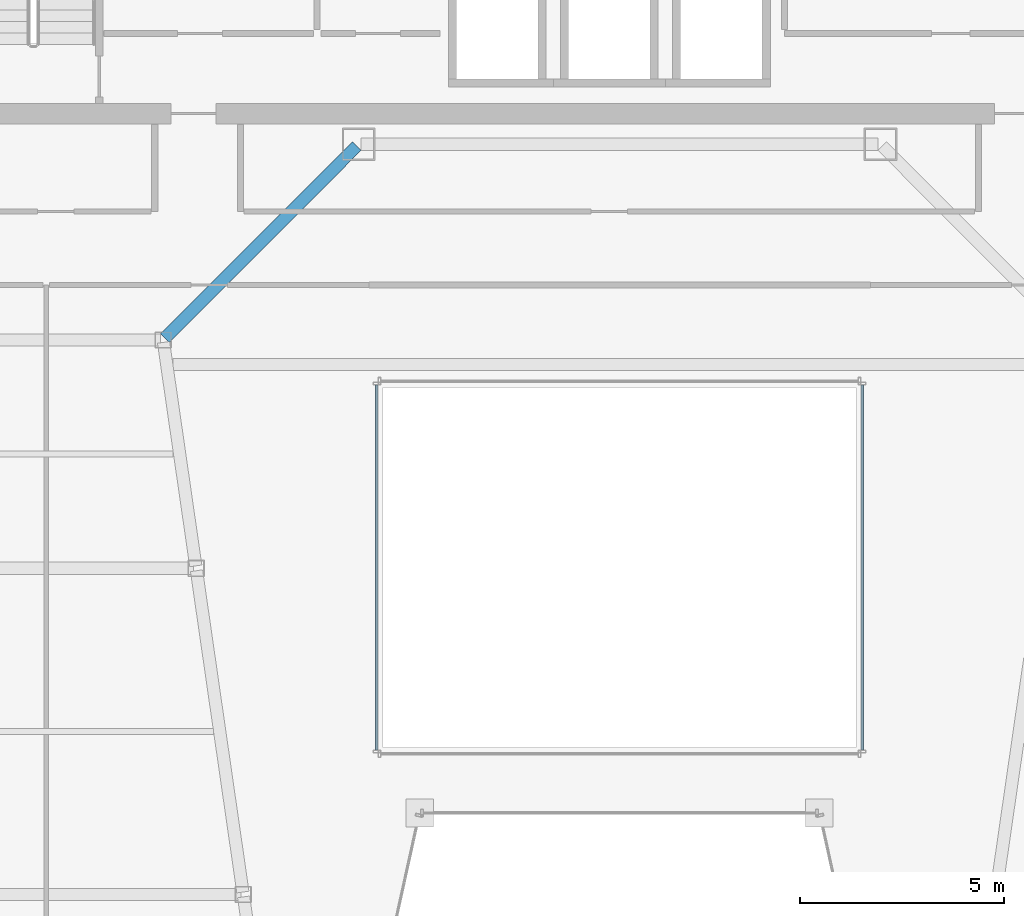
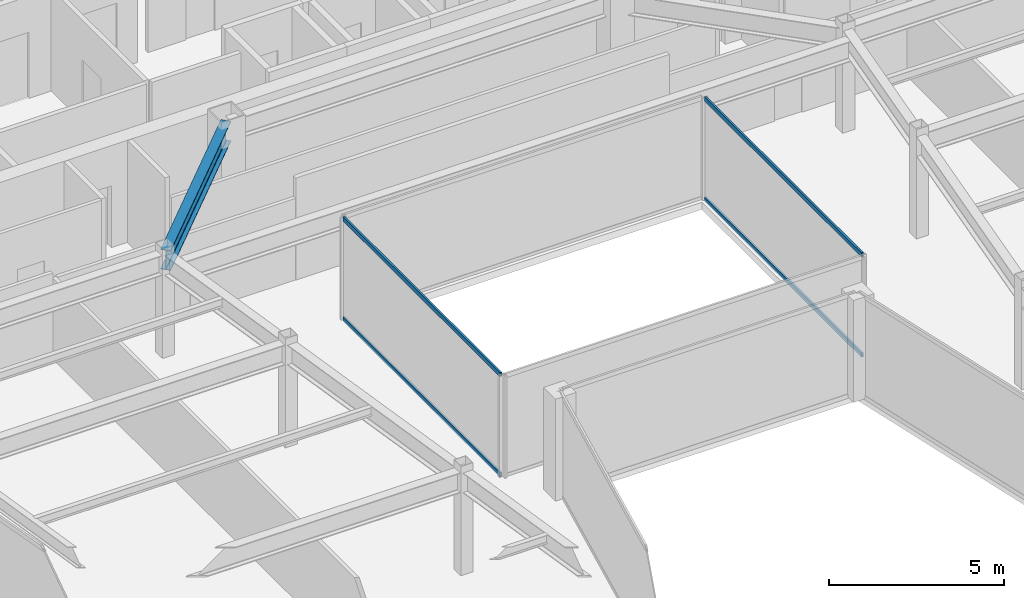
# One storey, part 12 of 35: 4 members, 1 beam, 2 elements without a shape of their own.
"""IFC4 building model written with IfcOpenShell, lengths in metres."""

import ifcopenshell
import ifcopenshell.guid

model = None  # the IFC model being written
_history = None  # IfcOwnerHistory: only IFC2X3 demands one
_inside = {}  # id of a spatial element -> (the spatial element, [elements in it])
_under = {}  # id of a project, library or spatial element -> (it, [spatial elements below it])
_declared = {}  # id of a project -> (the project, [libraries it declares])
_typed = {}  # id of a type object -> (the type object, [elements of that type])
_made_of = {}  # id of a material, layer set ... -> (it, [elements and type objects made of it])


def new_model(schema):
    """Start an empty IFC model of exactly this schema.

    Asked for "IFC4X3", IfcOpenShell would pick the latest addendum, in which some entities
    have other attributes; the version numbers below select the first issue.
    IFC2X3 requires an IfcOwnerHistory on every rooted entity: one is made here for all.
    """
    global model, _history
    if schema == "IFC4X3":
        model = ifcopenshell.file(schema_version=(4, 3, 0, 0))
    else:
        model = ifcopenshell.file(schema=schema)
    _inside.clear()
    _under.clear()
    _declared.clear()
    _typed.clear()
    _made_of.clear()
    _history = None
    if model.schema == "IFC2X3":
        org = make("IfcOrganization", Name="unknown")
        user = make(
            "IfcPersonAndOrganization",
            ThePerson=make("IfcPerson", FamilyName="unknown"),
            TheOrganization=org,
        )
        app = make(
            "IfcApplication",
            ApplicationDeveloper=org,
            Version="unknown",
            ApplicationFullName="unknown",
            ApplicationIdentifier="unknown",
        )
        _history = make(
            "IfcOwnerHistory",
            OwningUser=user,
            OwningApplication=app,
            ChangeAction="ADDED",
            CreationDate=0,
        )
    return model


def make(cls, **values):
    """One entity of the class cls with the attributes given. An attribute that is None is left unset."""
    return model.create_entity(
        cls, **{name: value for name, value in values.items() if value is not None}
    )


def rooted(cls, **values):
    """An entity with a GlobalId (a new one), such as an element, a storey or a relation."""
    return make(cls, GlobalId=ifcopenshell.guid.new(), OwnerHistory=_history, **values)


def si_unit(unit_type, name, prefix=None):
    """IfcSIUnit, for example si_unit("LENGTHUNIT", "METRE", prefix="MILLI")."""
    return make("IfcSIUnit", UnitType=unit_type, Prefix=prefix, Name=name)


def assignment(units):
    """IfcUnitAssignment: the units of a project."""
    return None if units is None else make("IfcUnitAssignment", Units=units)


def point(xyz):
    """IfcCartesianPoint."""
    return None if xyz is None else make("IfcCartesianPoint", Coordinates=xyz)


def direction(xyz):
    """IfcDirection."""
    return None if xyz is None else make("IfcDirection", DirectionRatios=xyz)


def frame(location, z_axis=None, x_axis=None):
    """IfcAxis2Placement3D, a coordinate frame: its origin and axes. An axis left out is left unset."""
    return make(
        "IfcAxis2Placement3D",
        Location=point(location),
        Axis=direction(z_axis),
        RefDirection=direction(x_axis),
    )


def frame_2d(location, x_axis=None):
    """IfcAxis2Placement2D, a coordinate frame in the plane: its origin and x axis."""
    return make(
        "IfcAxis2Placement2D", Location=point(location), RefDirection=direction(x_axis)
    )


def origin():
    """The frame at (0, 0, 0) with its axes left unset."""
    return frame((0.0, 0.0, 0.0))


def origin_2d():
    """The frame at (0, 0) in the plane with its x axis left unset."""
    return frame_2d((0.0, 0.0))


def place(relative_to, where):
    """IfcLocalPlacement: puts the frame where relative to a parent placement (None: the world)."""
    return make(
        "IfcLocalPlacement", PlacementRelTo=relative_to, RelativePlacement=where
    )


def context(
    kind, dimensions, precision=None, world=None, true_north=None, identifier=None
):
    """IfcGeometricRepresentationContext, for example the 3D "Model" context."""
    return make(
        "IfcGeometricRepresentationContext",
        ContextIdentifier=identifier,
        ContextType=kind,
        CoordinateSpaceDimension=dimensions,
        Precision=precision,
        WorldCoordinateSystem=world,
        TrueNorth=true_north,
    )


def subcontext(parent, identifier, kind, view, scale=None):
    """IfcGeometricRepresentationSubContext, for example "Body" below "Model"."""
    return make(
        "IfcGeometricRepresentationSubContext",
        ContextIdentifier=identifier,
        ContextType=kind,
        ParentContext=parent,
        TargetScale=scale,
        TargetView=view,
    )


def project(units=None, contexts=None):
    """IfcProject with its units and contexts."""
    return rooted(
        "IfcProject",
        Name="project",
        RepresentationContexts=contexts,
        UnitsInContext=assignment(units),
    )


def spatial(cls, under=None, at=None, **own):
    """A site, building, storey or space (cls), placed at a placement, below another one or the project."""
    s = rooted(cls, ObjectPlacement=at, **own)
    if under is not None:
        _under.setdefault(under.id(), (under, []))[1].append(s)
    return s


def profile(cls, at=None, kind="AREA", **sizes):
    """A parametric profile (cls). Its sizes go by their IFC names, for example OverallWidth=200.0."""
    return make(cls, ProfileType=kind, Position=at, **sizes)


def hollow_rectangle(**sizes):
    """IfcRectangleHollowProfileDef."""
    return profile("IfcRectangleHollowProfileDef", **sizes)


def i_section(**sizes):
    """IfcIShapeProfileDef."""
    return profile("IfcIShapeProfileDef", **sizes)


def extrude(swept, where, along, depth):
    """IfcExtrudedAreaSolid: the profile swept, set in the frame where, extruded along a direction by depth."""
    return make(
        "IfcExtrudedAreaSolid",
        SweptArea=swept,
        Position=where,
        ExtrudedDirection=direction(along),
        Depth=depth,
    )


def shape(context_of_items, identifier, shape_type, items):
    """IfcShapeRepresentation: the items that make up one representation, for example the "Body"."""
    return make(
        "IfcShapeRepresentation",
        ContextOfItems=context_of_items,
        RepresentationIdentifier=identifier,
        RepresentationType=shape_type,
        Items=items,
    )


def material(Name=None, Category=None):
    """IfcMaterial."""
    return make("IfcMaterial", Name=Name, Category=Category)


def material_profile(
    of_material, cross_section, Name=None, Category=None, Priority=None
):
    """IfcMaterialProfile: a cross section and its material."""
    return make(
        "IfcMaterialProfile",
        Name=Name,
        Material=of_material,
        Profile=cross_section,
        Priority=Priority,
        Category=Category,
    )


def profile_set(profiles, Name=None, composite=None):
    """IfcMaterialProfileSet."""
    return make(
        "IfcMaterialProfileSet",
        Name=Name,
        MaterialProfiles=profiles,
        CompositeProfile=composite,
    )


def made_of(thing, what):
    """Note that an element or type object is made of a material, layer set ...; save() writes the relation."""
    if what is not None:
        _made_of.setdefault(what.id(), (what, []))[1].append(thing)
    return thing


def type_object(cls, material=None, **own):
    """A type object (cls), such as IfcWallType, which elements share."""
    return made_of(rooted(cls, **own), material)


def element(
    cls,
    number,
    at=None,
    inside=None,
    cuts=None,
    type_object=None,
    material=None,
    context=None,
    identifier="Body",
    shape_type=None,
    held_by="IfcProductDefinitionShape",
    body=None,
    shapes=None,
    **own,
):
    """One element of the class cls, such as IfcWall. Its Tag is "e" and its number.

    at: its placement. inside: the storey or other place that contains it. cuts: it is an
    opening in that element (IfcRelVoidsElement). A single representation is given by context,
    identifier, shape_type and body (its items); several are given by shapes. held_by: the class
    of the entity that holds the representations. save() writes the other relations.
    """
    e = rooted(cls, Tag="e%d" % number, ObjectPlacement=at, **own)
    if body is not None:
        shapes = [shape(context, identifier, shape_type, body)]
    if shapes is not None:
        e.Representation = make(held_by, Representations=shapes)
    if inside is not None:
        _inside.setdefault(inside.id(), (inside, []))[1].append(e)
    if cuts is not None:
        rooted(
            "IfcRelVoidsElement", RelatingBuildingElement=cuts, RelatedOpeningElement=e
        )
    if type_object is not None:
        _typed.setdefault(type_object.id(), (type_object, []))[1].append(e)
    return made_of(e, material)


def aggregate(whole, parts):
    """IfcRelAggregates: a whole, such as a stair, and the parts it consists of."""
    return rooted("IfcRelAggregates", RelatingObject=whole, RelatedObjects=parts)


def save(model, path):
    """Write the relations noted so far, then the file.

    IfcRelAggregates (storeys below a building ...), IfcRelContainedInSpatialStructure (elements
    in a storey), IfcRelDefinesByType, IfcRelAssociatesMaterial and IfcRelDeclares: one each for
    every whole, place, type object, material and project.
    """
    for whole, parts in _under.values():
        aggregate(whole, parts)
    for where, things in _inside.values():
        rooted(
            "IfcRelContainedInSpatialStructure",
            RelatedElements=things,
            RelatingStructure=where,
        )
    for kind, things in _typed.values():
        rooted("IfcRelDefinesByType", RelatedObjects=things, RelatingType=kind)
    for what, things in _made_of.values():
        rooted("IfcRelAssociatesMaterial", RelatedObjects=things, RelatingMaterial=what)
    for by, libraries in _declared.values():
        rooted("IfcRelDeclares", RelatingContext=by, RelatedDefinitions=libraries)
    model.write(path)


model = new_model("IFC4")

# Units and contexts
model_context = context("Model", 3, precision=1e-05, world=origin(), true_north=direction((0.0, 1.0)))
body_context = subcontext(model_context, "Body", "Model", "MODEL_VIEW")
ifc_project = project(units=[si_unit("LENGTHUNIT", "METRE"), si_unit("AREAUNIT", "SQUARE_METRE"), si_unit("VOLUMEUNIT", "CUBIC_METRE"), si_unit("PLANEANGLEUNIT", "RADIAN"), si_unit("MASSUNIT", "GRAM", prefix="KILO")], contexts=[model_context])

# Site, building, storey
site_placement = place(None, origin())
site = spatial("IfcSite", under=ifc_project, at=site_placement, CompositionType="ELEMENT")
building_placement = place(site_placement, origin())
building = spatial("IfcBuilding", under=site, at=building_placement, Name="Saevonmaru Cultural Tower", CompositionType="ELEMENT")
storey_placement = place(building_placement, frame((0.0, 0.0, 213.199951171875)))
storey = spatial("IfcBuildingStorey", under=building, at=storey_placement, Name="L49", CompositionType="ELEMENT", Elevation=213.199951171875)

# Beam
ifc_material_1 = material(Name="Steel SM355", Category="steel")
ifc_material_profile_1 = material_profile(ifc_material_1, i_section(OverallWidth=0.300048828125, OverallDepth=0.699951171875, WebThickness=0.012939453125, FlangeThickness=0.02392578125, FilletRadius=0.02587890625, at=origin_2d()), Name="H-700x300x13x24")
ifc_profile_set_1 = profile_set([ifc_material_profile_1], Name="Steel SM355")
beam_type = type_object("IfcBeamType", Name="BM-G-H700", PredefinedType="BEAM", material=ifc_profile_set_1)
beam_placement = place(storey_placement, frame((18.850341796875, 37.642578125, 3.199951171875), z_axis=(0.706538566564, 0.707674539572, 0.0), x_axis=(-0.707674539572, 0.706538566564, 0.0)))
element("IfcBeam", 1, at=beam_placement, inside=storey, type_object=beam_type, Name="L49 West Atrium Girder 4", PredefinedType="BEAM", context=body_context, shape_type="SweptSolid", body=[
    extrude(i_section(OverallWidth=0.300048828125, OverallDepth=0.699951171875, WebThickness=0.012939453125, FlangeThickness=0.02392578125, FilletRadius=0.02587890625, at=origin_2d()), origin(), (0.0, 0.0, 1.0), 6.662353515625),
])

# Curtain wall, members
ifc_material_2 = material(Name="Satin Bronze Anodised Aluminium", Category="aluminium")
curtain_wall_type = type_object("IfcCurtainWallType", Name="CW-ATR-GLZ", PredefinedType="NOTDEFINED", material=ifc_material_2)
curtain_wall_1_placement = place(storey_placement, origin())
curtain_wall_1 = element("IfcCurtainWall", 2, at=curtain_wall_1_placement, inside=storey, type_object=curtain_wall_type, Name="L49 Vertical Atrium Glazed Smoke Screen 2", PredefinedType="NOTDEFINED")
ifc_material_profile_2 = material_profile(ifc_material_2, hollow_rectangle(XDim=0.06494140625, YDim=0.14990234375, WallThickness=0.00390625, at=origin_2d()), Name="ALU-TRAN-150x65x4")
ifc_profile_set_2 = profile_set([ifc_material_profile_2], Name="Satin Bronze Anodised Aluminium")
member_type = type_object("IfcMemberType", Name="TR-CW-INT-150x65", PredefinedType="USERDEFINED", material=ifc_profile_set_2)
member_1_placement = place(storey_placement, frame((35.949951171875, 27.54248046875, 0.032470703125), z_axis=(0.0, 1.0, 0.0), x_axis=(-1.0, 0.0, 0.0)))
member_1 = element("IfcMember", 3, at=member_1_placement, type_object=member_type, Name="CW-ATR-L49-2 transom 1.1", ObjectType="TRANSOM", PredefinedType="USERDEFINED", context=body_context, shape_type="SweptSolid", body=[
    extrude(hollow_rectangle(XDim=0.06494140625, YDim=0.14990234375, WallThickness=0.00390625, at=origin_2d()), origin(), (0.0, 0.0, 1.0), 8.955078125),
])
member_2_placement = place(storey_placement, frame((35.949951171875, 27.54248046875, 3.517578125), z_axis=(0.0, 1.0, 0.0), x_axis=(-1.0, 0.0, 0.0)))
member_2 = element("IfcMember", 4, at=member_2_placement, type_object=member_type, Name="CW-ATR-L49-2 transom 1.2", ObjectType="TRANSOM", PredefinedType="USERDEFINED", context=body_context, shape_type="SweptSolid", body=[
    extrude(hollow_rectangle(XDim=0.06494140625, YDim=0.14990234375, WallThickness=0.00390625, at=origin_2d()), origin(), (0.0, 0.0, 1.0), 8.955078125),
])
aggregate(curtain_wall_1, [member_1, member_2])

curtain_wall_2_placement = place(storey_placement, origin())
curtain_wall_2 = element("IfcCurtainWall", 5, at=curtain_wall_2_placement, inside=storey, type_object=curtain_wall_type, Name="L49 Vertical Atrium Glazed Smoke Screen 4", PredefinedType="NOTDEFINED")
member_3_placement = place(storey_placement, frame((24.050048828125, 36.49755859375, 0.032470703125), z_axis=(0.0, -1.0, 0.0), x_axis=(1.0, 0.0, 0.0)))
member_3 = element("IfcMember", 6, at=member_3_placement, type_object=member_type, Name="CW-ATR-L49-4 transom 1.1", ObjectType="TRANSOM", PredefinedType="USERDEFINED", context=body_context, shape_type="SweptSolid", body=[
    extrude(hollow_rectangle(XDim=0.06494140625, YDim=0.14990234375, WallThickness=0.00390625, at=origin_2d()), origin(), (0.0, 0.0, 1.0), 8.955078125),
])
member_4_placement = place(storey_placement, frame((24.050048828125, 36.49755859375, 3.517578125), z_axis=(0.0, -1.0, 0.0), x_axis=(1.0, 0.0, 0.0)))
member_4 = element("IfcMember", 7, at=member_4_placement, type_object=member_type, Name="CW-ATR-L49-4 transom 1.2", ObjectType="TRANSOM", PredefinedType="USERDEFINED", context=body_context, shape_type="SweptSolid", body=[
    extrude(hollow_rectangle(XDim=0.06494140625, YDim=0.14990234375, WallThickness=0.00390625, at=origin_2d()), origin(), (0.0, 0.0, 1.0), 8.955078125),
])
aggregate(curtain_wall_2, [member_3, member_4])

save(model, "model.ifc")
